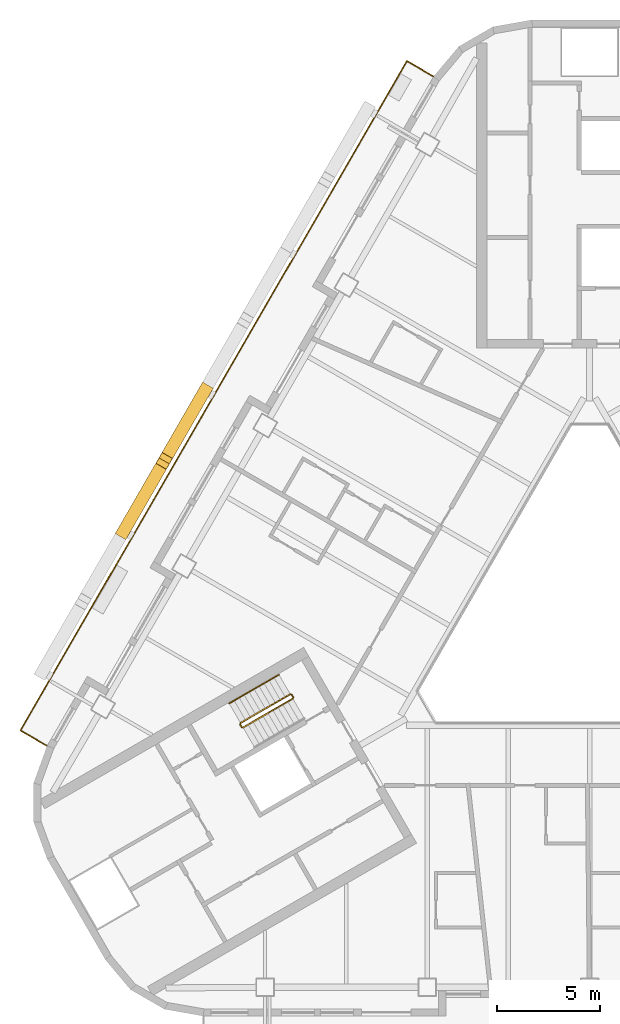
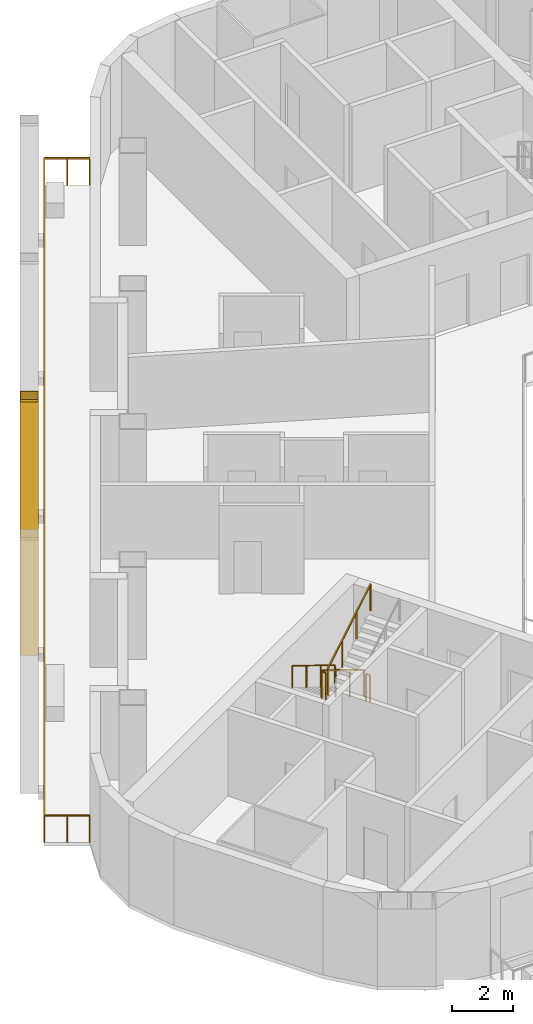
# One storey, part 10 of 14: 6 railings, 2 shading devices.
"""IFC4 building model written with IfcOpenShell, lengths in metres."""

from ifc_helpers import new_model, si_unit, direction, frame, origin, origin_2d, place, context, subcontext, project, spatial, rectangle, hollow_rectangle, circle, extrude, material, material_profile, profile_set, type_object, element, save


model = new_model("IFC4")

# Units and contexts
model_context = context("Model", 3, precision=1e-05, world=origin(), true_north=direction((0.0, 1.0)))
body_context = subcontext(model_context, "Body", "Model", "MODEL_VIEW")
ifc_project = project(units=[si_unit("LENGTHUNIT", "METRE"), si_unit("AREAUNIT", "SQUARE_METRE"), si_unit("VOLUMEUNIT", "CUBIC_METRE"), si_unit("PLANEANGLEUNIT", "RADIAN"), si_unit("MASSUNIT", "GRAM", prefix="KILO")], contexts=[model_context])

# Site, building, storey
site_placement = place(None, origin())
site = spatial("IfcSite", under=ifc_project, at=site_placement, CompositionType="ELEMENT")
building_placement = place(site_placement, origin())
building = spatial("IfcBuilding", under=site, at=building_placement, Name="Apuvela Tower Hotel", CompositionType="ELEMENT")
storey_placement = place(building_placement, frame((0.0, 0.0, 120.5)))
storey = spatial("IfcBuildingStorey", under=building, at=storey_placement, Name="L28", CompositionType="ELEMENT", Elevation=120.5)

# Railings
ifc_material_1 = material(Name="Steel S275 balustrade", Category="steel")
railing_type_1 = type_object("IfcRailingType", Name="COR-GUARD-1100", PredefinedType="GUARDRAIL", material=ifc_material_1)
railing_1_placement = place(storey_placement, frame((-14.569091796875, -3.9658203125, 0.168212890625)))
element("IfcRailing", 1, at=railing_1_placement, inside=storey, type_object=railing_type_1, Name="L28 ST2 stair guard 1", PredefinedType="GUARDRAIL", context=body_context, shape_type="SweptSolid", body=[
    extrude(rectangle(XDim=0.048095703125, YDim=0.048095703125, at=origin_2d()), frame((0.0, 0.0, 1.076171875), z_axis=(-0.742390482028, -0.42860119049, 0.514934356695), x_axis=(0.49998411664, -0.866034573852, 0.0)), (0.0, 0.0, 1.0), 3.26611328125),
    extrude(rectangle(XDim=0.0419921875, YDim=0.0419921875, at=origin_2d()), origin(), (0.0, 0.0, 1.0), 1.052001953125),
    extrude(rectangle(XDim=0.0419921875, YDim=0.0419921875, at=origin_2d()), frame((-0.808349609375, -0.466552734375, 0.560546875)), (0.0, 0.0, 1.0), 1.052001953125),
    extrude(rectangle(XDim=0.0419921875, YDim=0.0419921875, at=origin_2d()), frame((-1.616455078125, -0.933349609375, 1.121337890625)), (0.0, 0.0, 1.0), 1.052001953125),
    extrude(rectangle(XDim=0.0419921875, YDim=0.0419921875, at=origin_2d()), frame((-2.4248046875, -1.39990234375, 1.681884765625)), (0.0, 0.0, 1.0), 1.052001953125),
])
railing_2_placement = place(storey_placement, frame((-17.01220703125, -5.43408203125, 1.85009765625)))
element("IfcRailing", 2, at=railing_2_placement, inside=storey, type_object=railing_type_1, Name="L28 ST2 stair guard 2", PredefinedType="GUARDRAIL", context=body_context, shape_type="SweptSolid", body=[
    extrude(rectangle(XDim=0.048095703125, YDim=0.048095703125, at=origin_2d()), frame((0.0, 0.0, 1.076171875), z_axis=(0.499816412211, -0.866131372301, 0.0), x_axis=(0.866131372301, 0.499816412211, 0.0)), (0.0, 0.0, 1.0), 0.14990234375),
    extrude(rectangle(XDim=0.0419921875, YDim=0.0419921875, at=origin_2d()), origin(), (0.0, 0.0, 1.0), 1.052001953125),
    extrude(rectangle(XDim=0.0419921875, YDim=0.0419921875, at=origin_2d()), frame((0.074951171875, -0.1298828125, 0.0)), (0.0, 0.0, 1.0), 1.052001953125),
])
railing_3_placement = place(storey_placement, frame((-16.868896484375, -5.582275390625, 2.01806640625)))
element("IfcRailing", 3, at=railing_3_placement, inside=storey, type_object=railing_type_1, Name="L28 ST2 stair guard 3", PredefinedType="GUARDRAIL", context=body_context, shape_type="SweptSolid", body=[
    extrude(rectangle(XDim=0.048095703125, YDim=0.048095703125, at=origin_2d()), frame((0.0, 0.0, 1.076171875), z_axis=(0.742390482028, 0.42860119049, 0.514934356695), x_axis=(-0.49998411664, 0.866034573852, 0.0)), (0.0, 0.0, 1.0), 3.26611328125),
    extrude(rectangle(XDim=0.0419921875, YDim=0.0419921875, at=origin_2d()), origin(), (0.0, 0.0, 1.0), 1.052001953125),
    extrude(rectangle(XDim=0.0419921875, YDim=0.0419921875, at=origin_2d()), frame((0.808349609375, 0.466552734375, 0.560546875)), (0.0, 0.0, 1.0), 1.052001953125),
    extrude(rectangle(XDim=0.0419921875, YDim=0.0419921875, at=origin_2d()), frame((1.616455078125, 0.933349609375, 1.121337890625)), (0.0, 0.0, 1.0), 1.052001953125),
    extrude(rectangle(XDim=0.0419921875, YDim=0.0419921875, at=origin_2d()), frame((2.4248046875, 1.39990234375, 1.681884765625)), (0.0, 0.0, 1.0), 1.052001953125),
])
railing_4_placement = place(storey_placement, frame((-14.500732421875, -3.984130859375, 0.0)))
element("IfcRailing", 4, at=railing_4_placement, inside=storey, type_object=railing_type_1, Name="L28 ST2 stair guard 4", PredefinedType="GUARDRAIL", context=body_context, shape_type="SweptSolid", body=[
    extrude(rectangle(XDim=0.048095703125, YDim=0.048095703125, at=origin_2d()), frame((0.0, 0.0, 1.076171875), z_axis=(0.499816412211, -0.866131372301, 0.0), x_axis=(0.866131372301, 0.499816412211, 0.0)), (0.0, 0.0, 1.0), 0.14990234375),
    extrude(rectangle(XDim=0.0419921875, YDim=0.0419921875, at=origin_2d()), origin(), (0.0, 0.0, 1.0), 1.052001953125),
    extrude(rectangle(XDim=0.0419921875, YDim=0.0419921875, at=origin_2d()), frame((0.074951171875, -0.1298828125, 0.0)), (0.0, 0.0, 1.0), 1.052001953125),
])
ifc_material_2 = material(Name="Stainless steel 316 handrail", Category="steel")
railing_type_2 = type_object("IfcRailingType", Name="COR-HANDRAIL-900", PredefinedType="HANDRAIL", material=ifc_material_2)
railing_5_placement = place(storey_placement, frame((-15.118896484375, -3.01318359375, 0.168212890625)))
element("IfcRailing", 5, at=railing_5_placement, inside=storey, type_object=railing_type_2, Name="L28 ST2 stair handrail 1", PredefinedType="HANDRAIL", context=body_context, shape_type="SweptSolid", body=[
    extrude(circle(Radius=0.02392578125, at=origin_2d()), frame((0.0, 0.0, 0.8759765625), z_axis=(-0.742424030051, -0.428577407461, 0.514905783049), x_axis=(0.49994636267, -0.866056369097, 0.0)), (0.0, 0.0, 1.0), 3.266357421875),
    extrude(rectangle(XDim=0.0419921875, YDim=0.0419921875, at=origin_2d()), origin(), (0.0, 0.0, 1.0), 0.851806640625),
    extrude(rectangle(XDim=0.0419921875, YDim=0.0419921875, at=origin_2d()), frame((-0.808349609375, -0.466552734375, 0.560546875)), (0.0, 0.0, 1.0), 0.851806640625),
    extrude(rectangle(XDim=0.0419921875, YDim=0.0419921875, at=origin_2d()), frame((-1.61669921875, -0.933349609375, 1.121337890625)), (0.0, 0.0, 1.0), 0.851806640625),
    extrude(rectangle(XDim=0.0419921875, YDim=0.0419921875, at=origin_2d()), frame((-2.425048828125, -1.39990234375, 1.681884765625)), (0.0, 0.0, 1.0), 0.851806640625),
])

# Shading devices
ifc_material_3 = material(Name="Aluminium 6063-T6, black anodised", Category="aluminium")
ifc_material_profile = material_profile(ifc_material_3, hollow_rectangle(XDim=0.60009765625, YDim=0.699951171875, WallThickness=0.011962890625, at=origin_2d()), Name="AL BOX 700x600x12")
ifc_profile_set = profile_set([ifc_material_profile], Name="Aluminium 6063-T6, black anodised")
shading_device_type = type_object("IfcShadingDeviceType", Name="ENV-FIN-700x600", PredefinedType="USERDEFINED", material=ifc_profile_set)
shading_device_1_placement = place(storey_placement, frame((-18.732177734375, 10.81494140625, -0.10009765625), z_axis=(-0.235430342887, -0.407790151341, 0.882201647084), x_axis=(0.866032218625, -0.499988196164, 0.0)))
element("IfcShadingDevice", 6, at=shading_device_1_placement, inside=storey, type_object=shading_device_type, Name="Lattice fin NW277", ObjectType="FIN", PredefinedType="USERDEFINED", context=body_context, shape_type="SweptSolid", body=[
    extrude(hollow_rectangle(XDim=0.60009765625, YDim=0.699951171875, WallThickness=0.011962890625, at=origin_2d()), origin(), (0.0, 0.0, 1.0), 8.38818359375),
])
shading_device_2_placement = place(storey_placement, frame((-22.68212890625, 3.973388671875, -0.10009765625), z_axis=(0.235455039791, 0.407811621453, 0.882185131163), x_axis=(-0.866020906874, 0.500007788796, 0.0)))
element("IfcShadingDevice", 7, at=shading_device_2_placement, inside=storey, type_object=shading_device_type, Name="Lattice fin NW278", ObjectType="FIN", PredefinedType="USERDEFINED", context=body_context, shape_type="SweptSolid", body=[
    extrude(hollow_rectangle(XDim=0.60009765625, YDim=0.699951171875, WallThickness=0.011962890625, at=origin_2d()), origin(), (0.0, 0.0, 1.0), 8.388427734375),
])

# Railing
ifc_material_4 = material(Name="Stainless steel 316 rail with laminated glass infill", Category="steel")
railing_type_3 = type_object("IfcRailingType", Name="ENV-GUARD-1100", PredefinedType="GUARDRAIL", material=ifc_material_4)
railing_6_placement = place(storey_placement, frame((-7.59228515625, 26.110107421875, 0.0)))
element("IfcRailing", 8, at=railing_6_placement, inside=storey, type_object=railing_type_3, Name="Balcony guard NW L28", PredefinedType="GUARDRAIL", context=body_context, shape_type="SweptSolid", body=[
    extrude(rectangle(XDim=0.050048828125, YDim=0.050048828125, at=origin_2d()), frame((0.0, 0.0, 1.0751953125), z_axis=(-0.86599040064, 0.500060622324, 0.0), x_axis=(-0.500060622324, -0.86599040064, 0.0)), (0.0, 0.0, 1.0), 1.499755859375),
    extrude(rectangle(XDim=0.050048828125, YDim=0.050048828125, at=origin_2d()), frame((-1.298828125, 0.75, 1.0751953125), z_axis=(-0.500000437506, -0.86602515119, 0.0), x_axis=(0.86602515119, -0.500000437506, 0.0)), (0.0, 0.0, 1.0), 37.6318359375),
    extrude(rectangle(XDim=0.050048828125, YDim=0.050048828125, at=origin_2d()), frame((-20.11474609375, -31.840087890625, 1.0751953125), z_axis=(0.866031096941, -0.499990139034, 0.0), x_axis=(0.499990139034, 0.866031096941, 0.0)), (0.0, 0.0, 1.0), 1.5),
    extrude(rectangle(XDim=0.0400390625, YDim=0.0400390625, at=origin_2d()), origin(), (0.0, 0.0, 1.0), 1.050048828125),
    extrude(rectangle(XDim=0.0400390625, YDim=0.0400390625, at=origin_2d()), frame((-0.6494140625, 0.375, 0.0)), (0.0, 0.0, 1.0), 1.050048828125),
    extrude(rectangle(XDim=0.0400390625, YDim=0.0400390625, at=origin_2d()), frame((-1.298828125, 0.75, 0.0)), (0.0, 0.0, 1.0), 1.050048828125),
    extrude(rectangle(XDim=0.0400390625, YDim=0.0400390625, at=origin_2d()), frame((-1.88671875, -0.2685546875, 0.0)), (0.0, 0.0, 1.0), 1.050048828125),
    extrude(rectangle(XDim=0.0400390625, YDim=0.0400390625, at=origin_2d()), frame((-2.474853515625, -1.286865234375, 0.0)), (0.0, 0.0, 1.0), 1.050048828125),
    extrude(rectangle(XDim=0.0400390625, YDim=0.0400390625, at=origin_2d()), frame((-3.062744140625, -2.305419921875, 0.0)), (0.0, 0.0, 1.0), 1.050048828125),
    extrude(rectangle(XDim=0.0400390625, YDim=0.0400390625, at=origin_2d()), frame((-3.65087890625, -3.32373046875, 0.0)), (0.0, 0.0, 1.0), 1.050048828125),
    extrude(rectangle(XDim=0.0400390625, YDim=0.0400390625, at=origin_2d()), frame((-4.23876953125, -4.34228515625, 0.0)), (0.0, 0.0, 1.0), 1.050048828125),
    extrude(rectangle(XDim=0.0400390625, YDim=0.0400390625, at=origin_2d()), frame((-4.826904296875, -5.360595703125, 0.0)), (0.0, 0.0, 1.0), 1.050048828125),
    extrude(rectangle(XDim=0.0400390625, YDim=0.0400390625, at=origin_2d()), frame((-5.414794921875, -6.379150390625, 0.0)), (0.0, 0.0, 1.0), 1.050048828125),
    extrude(rectangle(XDim=0.0400390625, YDim=0.0400390625, at=origin_2d()), frame((-6.0029296875, -7.3974609375, 0.0)), (0.0, 0.0, 1.0), 1.050048828125),
    extrude(rectangle(XDim=0.0400390625, YDim=0.0400390625, at=origin_2d()), frame((-6.5908203125, -8.416015625, 0.0)), (0.0, 0.0, 1.0), 1.050048828125),
    extrude(rectangle(XDim=0.0400390625, YDim=0.0400390625, at=origin_2d()), frame((-7.1787109375, -9.434326171875, 0.0)), (0.0, 0.0, 1.0), 1.050048828125),
    extrude(rectangle(XDim=0.0400390625, YDim=0.0400390625, at=origin_2d()), frame((-7.766845703125, -10.452880859375, 0.0)), (0.0, 0.0, 1.0), 1.050048828125),
    extrude(rectangle(XDim=0.0400390625, YDim=0.0400390625, at=origin_2d()), frame((-8.354736328125, -11.47119140625, 0.0)), (0.0, 0.0, 1.0), 1.050048828125),
    extrude(rectangle(XDim=0.0400390625, YDim=0.0400390625, at=origin_2d()), frame((-8.94287109375, -12.48974609375, 0.0)), (0.0, 0.0, 1.0), 1.050048828125),
    extrude(rectangle(XDim=0.0400390625, YDim=0.0400390625, at=origin_2d()), frame((-9.53076171875, -13.508056640625, 0.0)), (0.0, 0.0, 1.0), 1.050048828125),
    extrude(rectangle(XDim=0.0400390625, YDim=0.0400390625, at=origin_2d()), frame((-10.118896484375, -14.526611328125, 0.0)), (0.0, 0.0, 1.0), 1.050048828125),
    extrude(rectangle(XDim=0.0400390625, YDim=0.0400390625, at=origin_2d()), frame((-10.706787109375, -15.544921875, 0.0)), (0.0, 0.0, 1.0), 1.050048828125),
    extrude(rectangle(XDim=0.0400390625, YDim=0.0400390625, at=origin_2d()), frame((-11.294677734375, -16.5634765625, 0.0)), (0.0, 0.0, 1.0), 1.050048828125),
    extrude(rectangle(XDim=0.0400390625, YDim=0.0400390625, at=origin_2d()), frame((-11.8828125, -17.58203125, 0.0)), (0.0, 0.0, 1.0), 1.050048828125),
    extrude(rectangle(XDim=0.0400390625, YDim=0.0400390625, at=origin_2d()), frame((-12.470703125, -18.600341796875, 0.0)), (0.0, 0.0, 1.0), 1.050048828125),
    extrude(rectangle(XDim=0.0400390625, YDim=0.0400390625, at=origin_2d()), frame((-13.058837890625, -19.618896484375, 0.0)), (0.0, 0.0, 1.0), 1.050048828125),
    extrude(rectangle(XDim=0.0400390625, YDim=0.0400390625, at=origin_2d()), frame((-13.646728515625, -20.63720703125, 0.0)), (0.0, 0.0, 1.0), 1.050048828125),
    extrude(rectangle(XDim=0.0400390625, YDim=0.0400390625, at=origin_2d()), frame((-14.23486328125, -21.65576171875, 0.0)), (0.0, 0.0, 1.0), 1.050048828125),
    extrude(rectangle(XDim=0.0400390625, YDim=0.0400390625, at=origin_2d()), frame((-14.82275390625, -22.674072265625, 0.0)), (0.0, 0.0, 1.0), 1.050048828125),
    extrude(rectangle(XDim=0.0400390625, YDim=0.0400390625, at=origin_2d()), frame((-15.41064453125, -23.692626953125, 0.0)), (0.0, 0.0, 1.0), 1.050048828125),
    extrude(rectangle(XDim=0.0400390625, YDim=0.0400390625, at=origin_2d()), frame((-15.998779296875, -24.7109375, 0.0)), (0.0, 0.0, 1.0), 1.050048828125),
    extrude(rectangle(XDim=0.0400390625, YDim=0.0400390625, at=origin_2d()), frame((-16.586669921875, -25.7294921875, 0.0)), (0.0, 0.0, 1.0), 1.050048828125),
    extrude(rectangle(XDim=0.0400390625, YDim=0.0400390625, at=origin_2d()), frame((-17.1748046875, -26.747802734375, 0.0)), (0.0, 0.0, 1.0), 1.050048828125),
    extrude(rectangle(XDim=0.0400390625, YDim=0.0400390625, at=origin_2d()), frame((-17.7626953125, -27.766357421875, 0.0)), (0.0, 0.0, 1.0), 1.050048828125),
    extrude(rectangle(XDim=0.0400390625, YDim=0.0400390625, at=origin_2d()), frame((-18.350830078125, -28.78466796875, 0.0)), (0.0, 0.0, 1.0), 1.050048828125),
    extrude(rectangle(XDim=0.0400390625, YDim=0.0400390625, at=origin_2d()), frame((-18.938720703125, -29.80322265625, 0.0)), (0.0, 0.0, 1.0), 1.050048828125),
    extrude(rectangle(XDim=0.0400390625, YDim=0.0400390625, at=origin_2d()), frame((-19.52685546875, -30.821533203125, 0.0)), (0.0, 0.0, 1.0), 1.050048828125),
    extrude(rectangle(XDim=0.0400390625, YDim=0.0400390625, at=origin_2d()), frame((-20.11474609375, -31.840087890625, 0.0)), (0.0, 0.0, 1.0), 1.050048828125),
    extrude(rectangle(XDim=0.0400390625, YDim=0.0400390625, at=origin_2d()), frame((-19.46533203125, -32.215087890625, 0.0)), (0.0, 0.0, 1.0), 1.050048828125),
    extrude(rectangle(XDim=0.0400390625, YDim=0.0400390625, at=origin_2d()), frame((-18.815673828125, -32.590087890625, 0.0)), (0.0, 0.0, 1.0), 1.050048828125),
])

save(model, "model.ifc")
